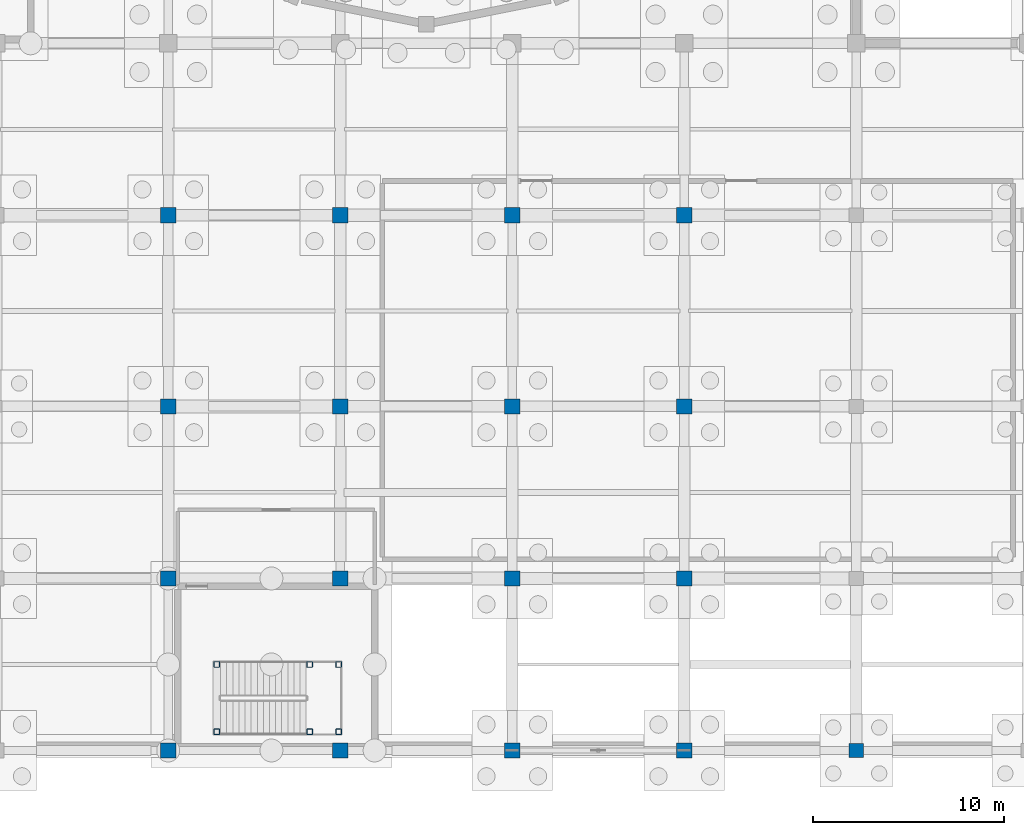
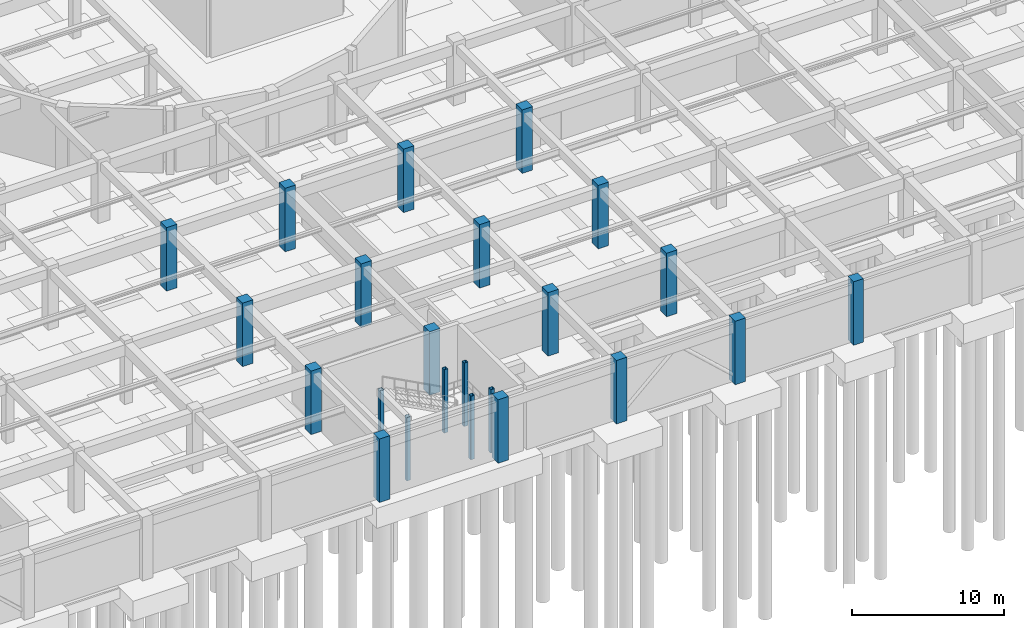
# One storey, part 15 of 62: 23 columns.
"""IFC4 building model written with IfcOpenShell, lengths in metres."""

from ifc_helpers import new_model, si_unit, direction, frame, origin, origin_2d, place, context, subcontext, project, spatial, rectangle, hollow_rectangle, extrude, material, material_profile, profile_set, type_object, element, save


model = new_model("IFC4")

# Units and contexts
model_context = context("Model", 3, precision=1e-05, world=origin(), true_north=direction((0.0, 1.0)))
body_context = subcontext(model_context, "Body", "Model", "MODEL_VIEW")
ifc_project = project(units=[si_unit("LENGTHUNIT", "METRE"), si_unit("AREAUNIT", "SQUARE_METRE"), si_unit("VOLUMEUNIT", "CUBIC_METRE"), si_unit("PLANEANGLEUNIT", "RADIAN"), si_unit("MASSUNIT", "GRAM", prefix="KILO")], contexts=[model_context])

# Site, building, storey
site_placement = place(None, origin())
site = spatial("IfcSite", under=ifc_project, at=site_placement, CompositionType="ELEMENT")
building_placement = place(site_placement, origin())
building = spatial("IfcBuilding", under=site, at=building_placement, Name="Miravela Opera House", CompositionType="ELEMENT")
storey_placement = place(building_placement, frame((0.0, 0.0, -5.10009765625)))
storey = spatial("IfcBuildingStorey", under=building, at=storey_placement, Name="B01", CompositionType="ELEMENT", Elevation=-5.10009765625)

# Columns
ifc_material_1 = material(Name="Hollow structural steel ASTM A500 Gr. C", Category="steel")
ifc_material_profile_1 = material_profile(ifc_material_1, hollow_rectangle(XDim=0.300048828125, YDim=0.300048828125, WallThickness=0.01611328125, InnerFilletRadius=0.01611328125, OuterFilletRadius=0.031982421875, at=origin_2d()), Name="HSS300X300X16")
ifc_profile_set_1 = profile_set([ifc_material_profile_1])
column_type_1 = type_object("IfcColumnType", Name="STR-COL-HSS300", PredefinedType="COLUMN", material=ifc_profile_set_1)
for number, where, z_axis, x_axis, name in (
    (1, (65.5400390625, 0.97998046875, 0.0), (0.0, 0.0, 1.0), (1.0, 0.0, 0.0), "Stair K6 Landing Support Column 1 (B01)"),
    (2, (65.5400390625, 4.5, 0.0), (0.0, 0.0, 1.0), (1.0, 0.0, 0.0), "Stair K6 Landing Support Column 2 (B01)"),
    (3, (70.39990234375, 0.97998046875, 0.0), (0.0, 0.0, 1.0), (1.0, 0.0, 0.0), "Stair K6 Landing Support Column 3 (B01)"),
    (4, (70.39990234375, 4.5, 0.0), (0.0, 0.0, 1.0), (1.0, 0.0, 0.0), "Stair K6 Landing Support Column 4 (B01)"),
    (5, (71.919921875, 0.97998046875, 0.0), (0.0, 0.0, 1.0), (1.0, 0.0, 0.0), "Stair K6 Landing Support Column 5 (B01)"),
    (6, (71.919921875, 4.5, 0.0), (0.0, 0.0, 1.0), (1.0, 0.0, 0.0), "Stair K6 Landing Support Column 6 (B01)"),
):
    element("IfcColumn", number, at=place(storey_placement, frame(where, z_axis=z_axis, x_axis=x_axis)), inside=storey, type_object=column_type_1, Name=name, PredefinedType="COLUMN", context=body_context, shape_type="SweptSolid", body=[
        extrude(hollow_rectangle(XDim=0.300048828125, YDim=0.300048828125, WallThickness=0.01611328125, InnerFilletRadius=0.01611328125, OuterFilletRadius=0.031982421875, at=origin_2d()), origin(), (0.0, 0.0, 1.0), 5.10009765625),
    ])
ifc_material_2 = material(Name="Concrete C35/45", Category="concrete")
ifc_material_profile_2 = material_profile(ifc_material_2, rectangle(XDim=0.75, YDim=0.75, at=origin_2d()), Name="RC-COL-750X750")
ifc_profile_set_2 = profile_set([ifc_material_profile_2])
column_type_2 = type_object("IfcColumnType", Name="STR-COL-RC750", PredefinedType="COLUMN", material=ifc_profile_set_2)
column_placement = place(storey_placement, frame((99.0, 0.0, 0.0), z_axis=(0.0, 0.0, 1.0), x_axis=(1.0, 0.0, 0.0)))
element("IfcColumn", 7, at=column_placement, inside=storey, type_object=column_type_2, Name="Column C-12A (B01)", PredefinedType="COLUMN", context=body_context, shape_type="SweptSolid", body=[
    extrude(rectangle(XDim=0.75, YDim=0.75, at=origin_2d()), origin(), (0.0, 0.0, 1.0), 5.10009765625),
])
ifc_material_3 = material(Name="Concrete C40/50", Category="concrete")
ifc_material_profile_3 = material_profile(ifc_material_3, rectangle(XDim=0.800048828125, YDim=0.800048828125, at=origin_2d()), Name="RC-COL-800X800")
ifc_profile_set_3 = profile_set([ifc_material_profile_3])
column_type_3 = type_object("IfcColumnType", Name="STR-COL-RC800", PredefinedType="COLUMN", material=ifc_profile_set_3)
for number, where, z_axis, x_axis, name in (
    (8, (81.0, 0.0, 0.0), (0.0, 0.0, 1.0), (1.0, 0.0, 0.0), "Column C-10A (B01)"),
    (9, (81.0, 9.0, 0.0), (0.0, 0.0, 1.0), (1.0, 0.0, 0.0), "Column C-10B (B01)"),
    (10, (81.0, 18.0, 0.0), (0.0, 0.0, 1.0), (1.0, 0.0, 0.0), "Column C-10C (B01)"),
    (11, (81.0, 28.0, 0.0), (0.0, 0.0, 1.0), (1.0, 0.0, 0.0), "Column C-10D (B01)"),
    (12, (90.0, 0.0, 0.0), (0.0, 0.0, 1.0), (1.0, 0.0, 0.0), "Column C-11A (B01)"),
    (13, (90.0, 9.0, 0.0), (0.0, 0.0, 1.0), (1.0, 0.0, 0.0), "Column C-11B (B01)"),
    (14, (90.0, 18.0, 0.0), (0.0, 0.0, 1.0), (1.0, 0.0, 0.0), "Column C-11C (B01)"),
    (15, (90.0, 28.0, 0.0), (0.0, 0.0, 1.0), (1.0, 0.0, 0.0), "Column C-11D (B01)"),
    (16, (63.0, 0.0, 0.0), (0.0, 0.0, 1.0), (1.0, 0.0, 0.0), "Column C-8A (B01)"),
    (17, (63.0, 9.0, 0.0), (0.0, 0.0, 1.0), (1.0, 0.0, 0.0), "Column C-8B (B01)"),
    (18, (63.0, 18.0, 0.0), (0.0, 0.0, 1.0), (1.0, 0.0, 0.0), "Column C-8C (B01)"),
    (19, (63.0, 28.0, 0.0), (0.0, 0.0, 1.0), (1.0, 0.0, 0.0), "Column C-8D (B01)"),
    (20, (72.0, 0.0, 0.0), (0.0, 0.0, 1.0), (1.0, 0.0, 0.0), "Column C-9A (B01)"),
    (21, (72.0, 9.0, 0.0), (0.0, 0.0, 1.0), (1.0, 0.0, 0.0), "Column C-9B (B01)"),
    (22, (72.0, 18.0, 0.0), (0.0, 0.0, 1.0), (1.0, 0.0, 0.0), "Column C-9C (B01)"),
    (23, (72.0, 28.0, 0.0), (0.0, 0.0, 1.0), (1.0, 0.0, 0.0), "Column C-9D (B01)"),
):
    element("IfcColumn", number, at=place(storey_placement, frame(where, z_axis=z_axis, x_axis=x_axis)), inside=storey, type_object=column_type_3, Name=name, PredefinedType="COLUMN", context=body_context, shape_type="SweptSolid", body=[
        extrude(rectangle(XDim=0.800048828125, YDim=0.800048828125, at=origin_2d()), origin(), (0.0, 0.0, 1.0), 5.10009765625),
    ])

save(model, "model.ifc")
